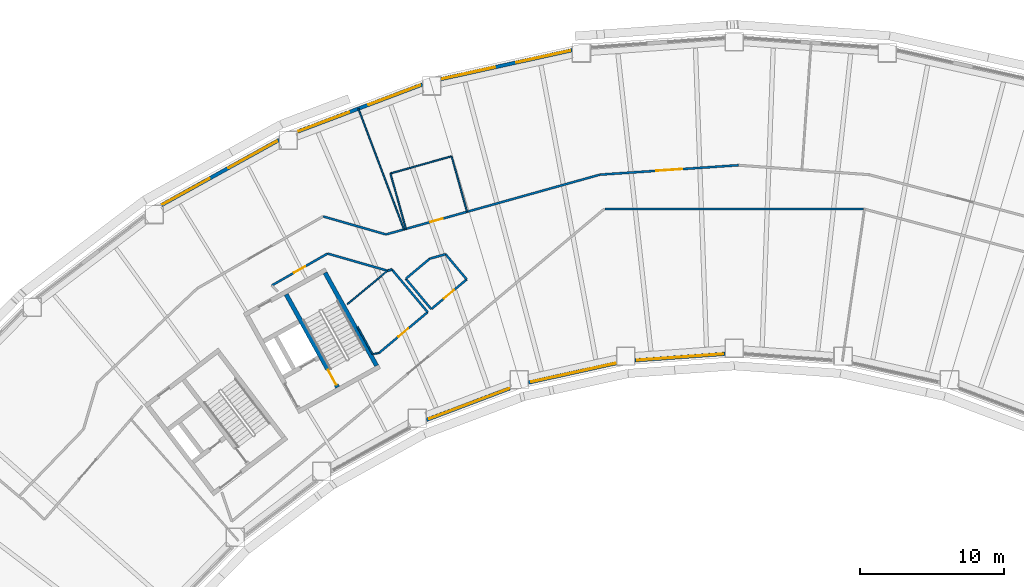
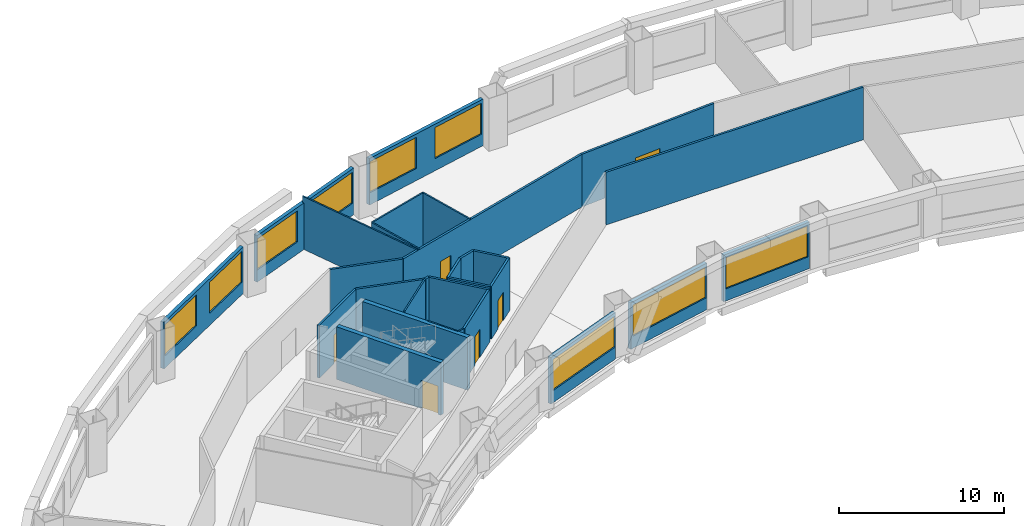
# One storey, part 4 of 11: 29 walls, 9 windows, 6 doors, 15 openings.
"""IFC4 building model written with IfcOpenShell, lengths in metres."""

from ifc_helpers import new_model, si_unit, direction, frame, frame_2d, origin, place, context, subcontext, project, spatial, rectangle, extrude, material, layer, layer_set, type_object, element, fill, save


model = new_model("IFC4")

# Units and contexts
model_context = context("Model", 3, precision=1e-05, world=origin(), true_north=direction((0.0, 1.0)))
body_context = subcontext(model_context, "Body", "Model", "MODEL_VIEW")
ifc_project = project(units=[si_unit("LENGTHUNIT", "METRE"), si_unit("AREAUNIT", "SQUARE_METRE"), si_unit("VOLUMEUNIT", "CUBIC_METRE"), si_unit("PLANEANGLEUNIT", "RADIAN"), si_unit("MASSUNIT", "GRAM", prefix="KILO")], contexts=[model_context])

# Site, building, storey
site_placement = place(None, origin())
site = spatial("IfcSite", under=ifc_project, at=site_placement, CompositionType="ELEMENT")
building_placement = place(site_placement, origin())
building = spatial("IfcBuilding", under=site, at=building_placement, Name="Tuul Gate Civic Tower", CompositionType="ELEMENT")
storey_placement = place(building_placement, frame((0.0, 0.0, 52.5)))
storey = spatial("IfcBuildingStorey", under=building, at=storey_placement, Name="Level 11", CompositionType="ELEMENT", Elevation=52.5)

# Wall
ifc_material_1 = material(Name="Concrete C50/60", Category="concrete")
ifc_layer_1 = layer(ifc_material_1, 0.300048828125)
ifc_layer_set_1 = layer_set([ifc_layer_1], Name="Concrete C50/60")
wall_type_1 = type_object("IfcWallType", Name="Core wall C50/60", PredefinedType="SHEAR", material=ifc_layer_set_1)
wall_1_placement = place(storey_placement, frame((-24.91552734375, -8.6572265625, 0.0), z_axis=(0.0, 0.0, 1.0), x_axis=(-0.484777133038, 0.874637714304, 0.0)))
element("IfcWall", 1, at=wall_1_placement, inside=storey, type_object=wall_type_1, Name="Core wall", PredefinedType="SHEAR", context=body_context, shape_type="SweptSolid", body=[
    extrude(rectangle(XDim=7.400146484375, YDim=0.300048828125, at=frame_2d((3.7001953125, 0.0))), origin(), (0.0, 0.0, 1.0), 3.89990234375),
])

# Wall, opening, door
wall_2_placement = place(storey_placement, frame((-27.626953125, -10.16015625, 0.0), z_axis=(0.0, 0.0, 1.0), x_axis=(-0.484751894226, 0.874651702704, 0.0)))
wall_2 = element("IfcWall", 2, at=wall_2_placement, inside=storey, type_object=wall_type_1, Name="Core wall", PredefinedType="SHEAR", context=body_context, shape_type="SweptSolid", body=[
    extrude(rectangle(XDim=7.39990234375, YDim=0.300048828125, at=frame_2d((3.699951171875, 0.0))), origin(), (0.0, 0.0, 1.0), 3.89990234375),
])
opening_1_placement = place(wall_2_placement, frame((0.199951171875, 0.0, 0.0)))
opening_1 = element("IfcOpeningElement", 3, at=opening_1_placement, cuts=wall_2, Name="Opening SD-ST-2", PredefinedType="OPENING", context=body_context, shape_type="SweptSolid", body=[
    extrude(rectangle(XDim=1.199951171875, YDim=2.10009765625, at=frame_2d((0.60009765625, 1.050048828125))), frame((0.0, 0.16015625, 0.0), z_axis=(0.0, -1.0, 0.0), x_axis=(1.0, 0.0, 0.0)), (0.0, 0.0, 1.0), 0.320068359375),
])
ifc_material_2 = material(Name="Steel", Category="steel")
door_type_1 = type_object("IfcDoorType", Name="Stair door", OperationType="NOTDEFINED", PredefinedType="DOOR", material=ifc_material_2)
door_1_placement = place(opening_1_placement, origin())
door_1 = element("IfcDoor", 4, at=door_1_placement, inside=storey, type_object=door_type_1, Name="Stair door ST-2", OperationType="SINGLE_SWING_LEFT", OverallHeight=2.10009765625, OverallWidth=1.199951171875, PredefinedType="DOOR", context=body_context, shape_type="SweptSolid", body=[
    extrude(rectangle(XDim=1.199951171875, YDim=2.10009765625, at=frame_2d((0.60009765625, 1.050048828125))), frame((0.0, 0.02490234375, 0.0), z_axis=(0.0, -1.0, 0.0), x_axis=(1.0, 0.0, 0.0)), (0.0, 0.0, 1.0), 0.050048828125),
])
fill(opening_1, door_1)

ifc_material_3 = material(Name="Gypsum board partition")
ifc_layer_2 = layer(ifc_material_3, 0.14990234375)
ifc_layer_set_2 = layer_set([ifc_layer_2], Name="Gypsum board partition")
wall_type_2 = type_object("IfcWallType", Name="Corridor wall P150", PredefinedType="PARTITIONING", material=ifc_layer_set_2)
wall_3_placement = place(storey_placement, frame((-24.25439453125, 0.48583984375, 0.0), z_axis=(0.0, 0.0, 1.0), x_axis=(0.963074488141, 0.269235083694, 0.0)))
wall_3 = element("IfcWall", 5, at=wall_3_placement, inside=storey, type_object=wall_type_2, Name="p030", PredefinedType="PARTITIONING", context=body_context, shape_type="SweptSolid", body=[
    extrude(rectangle(XDim=15.458984375, YDim=0.14990234375, at=frame_2d((7.7294921875, 0.0))), origin(), (0.0, 0.0, 1.0), 3.89990234375),
])
opening_2_placement = place(wall_3_placement, frame((3.197021484375, 0.0, 0.0)))
opening_2 = element("IfcOpeningElement", 6, at=opening_2_placement, cuts=wall_3, Name="Opening C-D04", PredefinedType="OPENING", context=body_context, shape_type="SweptSolid", body=[
    extrude(rectangle(XDim=0.89990234375, YDim=2.10009765625, at=frame_2d((0.449951171875, 1.050048828125))), frame((0.0, 0.0849609375, 0.0), z_axis=(0.0, -1.0, 0.0), x_axis=(1.0, 0.0, 0.0)), (0.0, 0.0, 1.0), 0.169921875),
])
ifc_material_4 = material(Name="Timber door leaf", Category="wood")
door_type_2 = type_object("IfcDoorType", Name="Door D09", OperationType="NOTDEFINED", PredefinedType="DOOR", material=ifc_material_4)
door_2_placement = place(opening_2_placement, origin())
door_2 = element("IfcDoor", 7, at=door_2_placement, inside=storey, type_object=door_type_2, Name="Door C-D04", OperationType="SINGLE_SWING_RIGHT", OverallHeight=2.10009765625, OverallWidth=0.89990234375, PredefinedType="DOOR", context=body_context, shape_type="SweptSolid", body=[
    extrude(rectangle(XDim=0.89990234375, YDim=2.10009765625, at=frame_2d((0.449951171875, 1.050048828125))), frame((0.0, 0.02490234375, 0.0), z_axis=(0.0, -1.0, 0.0), x_axis=(1.0, 0.0, 0.0)), (0.0, 0.0, 1.0), 0.050048828125),
])
fill(opening_2, door_2)

wall_4_placement = place(storey_placement, frame((-9.3662109375, 4.64794921875, 0.0), z_axis=(0.0, 0.0, 1.0), x_axis=(0.997684510336, 0.068011894806, 0.0)))
wall_4 = element("IfcWall", 8, at=wall_4_placement, inside=storey, type_object=wall_type_2, Name="p031", PredefinedType="PARTITIONING", context=body_context, shape_type="SweptSolid", body=[
    extrude(rectangle(XDim=9.670654296875, YDim=0.14990234375, at=frame_2d((4.83544921875, 0.0))), origin(), (0.0, 0.0, 1.0), 3.89990234375),
])
opening_3_placement = place(wall_4_placement, frame((3.935302734375, 0.0, 0.0)))
opening_3 = element("IfcOpeningElement", 9, at=opening_3_placement, cuts=wall_4, Name="Opening C-D03", PredefinedType="OPENING", context=body_context, shape_type="SweptSolid", body=[
    extrude(rectangle(XDim=1.800048828125, YDim=2.10009765625, at=frame_2d((0.89990234375, 1.050048828125))), frame((0.0, 0.0849609375, 0.0), z_axis=(0.0, -1.0, 0.0), x_axis=(1.0, 0.0, 0.0)), (0.0, 0.0, 1.0), 0.169921875),
])
ifc_material_5 = material(Name="Timber door leaf, double", Category="wood")
door_type_3 = type_object("IfcDoorType", Name="Door D18", OperationType="DOUBLE_DOOR_SINGLE_SWING", PredefinedType="DOOR", material=ifc_material_5)
door_3_placement = place(opening_3_placement, origin())
door_3 = element("IfcDoor", 10, at=door_3_placement, inside=storey, type_object=door_type_3, Name="Door C-D03", OperationType="DOUBLE_DOOR_SINGLE_SWING", OverallHeight=2.10009765625, OverallWidth=1.800048828125, PredefinedType="DOOR", context=body_context, shape_type="SweptSolid", body=[
    extrude(rectangle(XDim=1.800048828125, YDim=2.10009765625, at=frame_2d((0.89990234375, 1.050048828125))), frame((0.0, 0.02490234375, 0.0), z_axis=(0.0, -1.0, 0.0), x_axis=(1.0, 0.0, 0.0)), (0.0, 0.0, 1.0), 0.050048828125),
])
fill(opening_3, door_3)

# Walls
wall_5_placement = place(storey_placement, frame((-28.640380859375, 1.739501953125, 0.0), z_axis=(0.0, 0.0, 1.0), x_axis=(0.961286670839, -0.275550243092, 0.0)))
element("IfcWall", 11, at=wall_5_placement, inside=storey, type_object=wall_type_2, Name="p034", PredefinedType="PARTITIONING", context=body_context, shape_type="SweptSolid", body=[
    extrude(rectangle(XDim=4.549560546875, YDim=0.14990234375, at=frame_2d((2.27490234375, 0.0))), origin(), (0.0, 0.0, 1.0), 3.89990234375),
])
wall_6_placement = place(storey_placement, frame((-24.15625, -2.04248046875, 0.0), z_axis=(0.0, 0.0, 1.0), x_axis=(0.961698087877, 0.274110904151, 0.0)))
element("IfcWall", 12, at=wall_6_placement, inside=storey, type_object=wall_type_2, Name="p050", PredefinedType="PARTITIONING", context=body_context, shape_type="SweptSolid", body=[
    extrude(rectangle(XDim=0.317138671875, YDim=0.14990234375, at=frame_2d((0.15869140625, 0.0))), origin(), (0.0, 0.0, 1.0), 3.89990234375),
])
wall_7_placement = place(storey_placement, frame((-21.215576171875, -1.205078125, 0.0), z_axis=(0.0, 0.0, 1.0), x_axis=(0.961844919468, 0.273595231856, 0.0)))
element("IfcWall", 13, at=wall_7_placement, inside=storey, type_object=wall_type_2, Name="p051", PredefinedType="PARTITIONING", context=body_context, shape_type="SweptSolid", body=[
    extrude(rectangle(XDim=1.145751953125, YDim=0.14990234375, at=frame_2d((0.57275390625, 0.0))), origin(), (0.0, 0.0, 1.0), 3.89990234375),
])
wall_8_placement = place(storey_placement, frame((-9.018310546875, 2.265869140625, 0.0), z_axis=(0.0, 0.0, 1.0), x_axis=(0.999999990811, 0.000135561971, 0.0)))
element("IfcWall", 14, at=wall_8_placement, inside=storey, type_object=wall_type_2, Name="p052", PredefinedType="PARTITIONING", context=body_context, shape_type="SweptSolid", body=[
    extrude(rectangle(XDim=18.009521484375, YDim=0.14990234375, at=frame_2d((9.0048828125, 0.0))), origin(), (0.0, 0.0, 1.0), 3.89990234375),
])
wall_9_placement = place(storey_placement, frame((-20.113525390625, -0.8916015625, 0.0), z_axis=(0.0, 0.0, 1.0), x_axis=(0.642569904563, -0.766227066704, 0.0)))
element("IfcWall", 15, at=wall_9_placement, inside=storey, type_object=wall_type_2, Name="p053", PredefinedType="PARTITIONING", context=body_context, shape_type="SweptSolid", body=[
    extrude(rectangle(XDim=2.292236328125, YDim=0.14990234375, at=frame_2d((1.14599609375, 0.0))), origin(), (0.0, 0.0, 1.0), 3.89990234375),
])

# Wall, opening, door
wall_10_placement = place(storey_placement, frame((-24.7529296875, -7.773681640625, 0.0), z_axis=(0.0, 0.0, 1.0), x_axis=(0.766230053811, 0.642566342595, 0.0)))
wall_10 = element("IfcWall", 16, at=wall_10_placement, inside=storey, type_object=wall_type_2, Name="p054", PredefinedType="PARTITIONING", context=body_context, shape_type="SweptSolid", body=[
    extrude(rectangle(XDim=4.43017578125, YDim=0.14990234375, at=frame_2d((2.215087890625, 0.0))), origin(), (0.0, 0.0, 1.0), 3.89990234375),
])
opening_4_placement = place(wall_10_placement, frame((1.764892578125, 0.0, 0.0)))
opening_4 = element("IfcOpeningElement", 17, at=opening_4_placement, cuts=wall_10, Name="Opening C-D11", PredefinedType="OPENING", context=body_context, shape_type="SweptSolid", body=[
    extrude(rectangle(XDim=0.89990234375, YDim=2.10009765625, at=frame_2d((0.449951171875, 1.050048828125))), frame((0.0, 0.0849609375, 0.0), z_axis=(0.0, -1.0, 0.0), x_axis=(1.0, 0.0, 0.0)), (0.0, 0.0, 1.0), 0.169921875),
])
door_4_placement = place(opening_4_placement, origin())
door_4 = element("IfcDoor", 18, at=door_4_placement, inside=storey, type_object=door_type_2, Name="Door C-D11", OperationType="SINGLE_SWING_RIGHT", OverallHeight=2.10009765625, OverallWidth=0.89990234375, PredefinedType="DOOR", context=body_context, shape_type="SweptSolid", body=[
    extrude(rectangle(XDim=0.89990234375, YDim=2.10009765625, at=frame_2d((0.449951171875, 1.050048828125))), frame((0.0, 0.02490234375, 0.0), z_axis=(0.0, -1.0, 0.0), x_axis=(1.0, 0.0, 0.0)), (0.0, 0.0, 1.0), 0.050048828125),
])
fill(opening_4, door_4)

wall_11_placement = place(storey_placement, frame((-21.10791015625, -4.717041015625, 0.0), z_axis=(0.0, 0.0, 1.0), x_axis=(0.766228872485, 0.642567751268, 0.0)))
wall_11 = element("IfcWall", 19, at=wall_11_placement, inside=storey, type_object=wall_type_2, Name="p055", PredefinedType="PARTITIONING", context=body_context, shape_type="SweptSolid", body=[
    extrude(rectangle(XDim=3.219970703125, YDim=0.14990234375, at=frame_2d((1.60986328125, 0.0))), origin(), (0.0, 0.0, 1.0), 3.89990234375),
])
opening_5_placement = place(wall_11_placement, frame((1.159912109375, 0.0, 0.0)))
opening_5 = element("IfcOpeningElement", 20, at=opening_5_placement, cuts=wall_11, Name="Opening C-D10", PredefinedType="OPENING", context=body_context, shape_type="SweptSolid", body=[
    extrude(rectangle(XDim=0.89990234375, YDim=2.10009765625, at=frame_2d((0.449951171875, 1.050048828125))), frame((0.0, 0.0849609375, 0.0), z_axis=(0.0, -1.0, 0.0), x_axis=(1.0, 0.0, 0.0)), (0.0, 0.0, 1.0), 0.169921875),
])
door_5_placement = place(opening_5_placement, origin())
door_5 = element("IfcDoor", 21, at=door_5_placement, inside=storey, type_object=door_type_2, Name="Door C-D10", OperationType="SINGLE_SWING_RIGHT", OverallHeight=2.10009765625, OverallWidth=0.89990234375, PredefinedType="DOOR", context=body_context, shape_type="SweptSolid", body=[
    extrude(rectangle(XDim=0.89990234375, YDim=2.10009765625, at=frame_2d((0.449951171875, 1.050048828125))), frame((0.0, 0.02490234375, 0.0), z_axis=(0.0, -1.0, 0.0), x_axis=(1.0, 0.0, 0.0)), (0.0, 0.0, 1.0), 0.050048828125),
])
fill(opening_5, door_5)

# Walls
wall_12_placement = place(storey_placement, frame((-22.88134765625, -2.602294921875, 0.0), z_axis=(0.0, 0.0, 1.0), x_axis=(0.642565356488, -0.766230880768, 0.0)))
element("IfcWall", 22, at=wall_12_placement, inside=storey, type_object=wall_type_2, Name="p056", PredefinedType="PARTITIONING", context=body_context, shape_type="SweptSolid", body=[
    extrude(rectangle(XDim=2.760009765625, YDim=0.14990234375, at=frame_2d((1.3798828125, 0.0))), origin(), (0.0, 0.0, 1.0), 3.89990234375),
])
wall_13_placement = place(storey_placement, frame((-22.88134765625, -2.602294921875, 0.0), z_axis=(0.0, 0.0, 1.0), x_axis=(0.766164790062, 0.642644158512, 0.0)))
element("IfcWall", 23, at=wall_13_placement, inside=storey, type_object=wall_type_2, Name="p057", PredefinedType="PARTITIONING", context=body_context, shape_type="SweptSolid", body=[
    extrude(rectangle(XDim=2.174072265625, YDim=0.14990234375, at=frame_2d((1.0869140625, 0.0))), origin(), (0.0, 0.0, 1.0), 3.89990234375),
])
wall_14_placement = place(storey_placement, frame((-23.851318359375, -1.95556640625, 0.0), z_axis=(0.0, 0.0, 1.0), x_axis=(0.642725493396, -0.766096560584, 0.0)))
element("IfcWall", 24, at=wall_14_placement, inside=storey, type_object=wall_type_2, Name="p058", PredefinedType="PARTITIONING", context=body_context, shape_type="SweptSolid", body=[
    extrude(rectangle(XDim=3.878662109375, YDim=0.14990234375, at=frame_2d((1.939453125, 0.0))), origin(), (0.0, 0.0, 1.0), 3.89990234375),
])
wall_15_placement = place(storey_placement, frame((-28.328857421875, -0.8466796875, 0.0), z_axis=(0.0, 0.0, 1.0), x_axis=(0.961313524607, -0.275456543593, 0.0)))
element("IfcWall", 25, at=wall_15_placement, inside=storey, type_object=wall_type_2, Name="p059", PredefinedType="PARTITIONING", context=body_context, shape_type="SweptSolid", body=[
    extrude(rectangle(XDim=4.34033203125, YDim=0.14990234375, at=frame_2d((2.170166015625, 0.0))), origin(), (0.0, 0.0, 1.0), 3.89990234375),
])

# Wall, opening, door
wall_16_placement = place(storey_placement, frame((-32.216552734375, -3.0703125, 0.0), z_axis=(0.0, 0.0, 1.0), x_axis=(0.868041797292, 0.496491125957, 0.0)))
wall_16 = element("IfcWall", 26, at=wall_16_placement, inside=storey, type_object=wall_type_2, Name="p060", PredefinedType="PARTITIONING", context=body_context, shape_type="SweptSolid", body=[
    extrude(rectangle(XDim=4.478759765625, YDim=0.14990234375, at=frame_2d((2.2392578125, 0.0))), origin(), (0.0, 0.0, 1.0), 3.89990234375),
])
opening_6_placement = place(wall_16_placement, frame((1.789306640625, 0.0, 0.0)))
opening_6 = element("IfcOpeningElement", 27, at=opening_6_placement, cuts=wall_16, Name="Opening C-D12", PredefinedType="OPENING", context=body_context, shape_type="SweptSolid", body=[
    extrude(rectangle(XDim=0.89990234375, YDim=2.10009765625, at=frame_2d((0.449951171875, 1.050048828125))), frame((0.0, 0.0849609375, 0.0), z_axis=(0.0, -1.0, 0.0), x_axis=(1.0, 0.0, 0.0)), (0.0, 0.0, 1.0), 0.169921875),
])
door_6_placement = place(opening_6_placement, origin())
door_6 = element("IfcDoor", 28, at=door_6_placement, inside=storey, type_object=door_type_2, Name="Door C-D12", OperationType="SINGLE_SWING_RIGHT", OverallHeight=2.10009765625, OverallWidth=0.89990234375, PredefinedType="DOOR", context=body_context, shape_type="SweptSolid", body=[
    extrude(rectangle(XDim=0.89990234375, YDim=2.10009765625, at=frame_2d((0.449951171875, 1.050048828125))), frame((0.0, 0.02490234375, 0.0), z_axis=(0.0, -1.0, 0.0), x_axis=(1.0, 0.0, 0.0)), (0.0, 0.0, 1.0), 0.050048828125),
])
fill(opening_6, door_6)

# Wall, openings, windows
ifc_material_6 = material(Name="Precast concrete C40/50", Category="concrete")
ifc_layer_3 = layer(ifc_material_6, 0.25)
ifc_layer_set_3 = layer_set([ifc_layer_3], Name="Precast concrete C40/50")
wall_type_3 = type_object("IfcWallType", Name="External wall", PredefinedType="STANDARD", material=ifc_layer_set_3)
wall_17_placement = place(storey_placement, frame((-11.299072265625, 13.317138671875, 0.0), z_axis=(0.0, 0.0, 1.0), x_axis=(-0.97654219172, -0.215326142841, 0.0)))
wall_17 = element("IfcWall", 29, at=wall_17_placement, inside=storey, type_object=wall_type_3, Name="External wall", PredefinedType="STANDARD", context=body_context, shape_type="SweptSolid", body=[
    extrude(rectangle(XDim=9.34716796875, YDim=0.25, at=frame_2d((4.673583984375, 0.0))), origin(), (0.0, 0.0, 1.0), 3.449951171875),
])
opening_7_placement = place(wall_17_placement, frame((0.134033203125, 0.0, 0.89990234375)))
opening_7 = element("IfcOpeningElement", 30, at=opening_7_placement, cuts=wall_17, Name="Opening W22", PredefinedType="OPENING", context=body_context, shape_type="SweptSolid", body=[
    extrude(rectangle(XDim=3.85009765625, YDim=2.300048828125, at=frame_2d((1.925048828125, 1.14990234375))), frame((0.0, 0.135009765625, 0.0), z_axis=(0.0, -1.0, 0.0), x_axis=(1.0, 0.0, 0.0)), (0.0, 0.0, 1.0), 0.27001953125),
])
opening_8_placement = place(wall_17_placement, frame((5.5029296875, 0.0, 0.89990234375)))
opening_8 = element("IfcOpeningElement", 31, at=opening_8_placement, cuts=wall_17, Name="Opening W100", PredefinedType="OPENING", context=body_context, shape_type="SweptSolid", body=[
    extrude(rectangle(XDim=3.800048828125, YDim=2.300048828125, at=frame_2d((1.89990234375, 1.14990234375))), frame((0.0, 0.135009765625, 0.0), z_axis=(0.0, -1.0, 0.0), x_axis=(1.0, 0.0, 0.0)), (0.0, 0.0, 1.0), 0.27001953125),
])
ifc_material_7 = material(Name="Glass", Category="glass")
window_type_1 = type_object("IfcWindowType", Name="Window W100 3800 x 2300", PartitioningType="SINGLE_PANEL", PredefinedType="WINDOW", material=ifc_material_7)
window_1_placement = place(opening_8_placement, origin())
window_1 = element("IfcWindow", 32, at=window_1_placement, inside=storey, type_object=window_type_1, Name="Window", OverallHeight=2.300048828125, OverallWidth=3.800048828125, PartitioningType="SINGLE_PANEL", PredefinedType="WINDOW", context=body_context, shape_type="SweptSolid", body=[
    extrude(rectangle(XDim=3.800048828125, YDim=2.300048828125, at=frame_2d((1.89990234375, 1.14990234375))), frame((0.0, 0.030029296875, 0.0), z_axis=(0.0, -1.0, 0.0), x_axis=(1.0, 0.0, 0.0)), (0.0, 0.0, 1.0), 0.06005859375),
])
fill(opening_8, window_1)
ifc_material_8 = material(Name="Glass", Category="glass")
window_type_2 = type_object("IfcWindowType", Name="Window W22 3850 x 2300", PartitioningType="SINGLE_PANEL", PredefinedType="WINDOW", material=ifc_material_8)
window_2_placement = place(opening_7_placement, origin())
window_2 = element("IfcWindow", 33, at=window_2_placement, inside=storey, type_object=window_type_2, Name="Window", OverallHeight=2.300048828125, OverallWidth=3.85009765625, PartitioningType="SINGLE_PANEL", PredefinedType="WINDOW", context=body_context, shape_type="SweptSolid", body=[
    extrude(rectangle(XDim=3.85009765625, YDim=2.300048828125, at=frame_2d((1.925048828125, 1.14990234375))), frame((0.0, 0.030029296875, 0.0), z_axis=(0.0, -1.0, 0.0), x_axis=(1.0, 0.0, 0.0)), (0.0, 0.0, 1.0), 0.06005859375),
])
fill(opening_7, window_2)

wall_18_placement = place(storey_placement, frame((-21.72705078125, 10.929931640625, 0.0), z_axis=(0.0, 0.0, 1.0), x_axis=(-0.93537723485, -0.353651563724, 0.0)))
wall_18 = element("IfcWall", 34, at=wall_18_placement, inside=storey, type_object=wall_type_3, Name="External wall", PredefinedType="STANDARD", context=body_context, shape_type="SweptSolid", body=[
    extrude(rectangle(XDim=9.287109375, YDim=0.25, at=frame_2d((4.6435546875, 0.0))), origin(), (0.0, 0.0, 1.0), 3.449951171875),
])
opening_9_placement = place(wall_18_placement, frame((0.1552734375, 0.0, 0.89990234375)))
opening_9 = element("IfcOpeningElement", 35, at=opening_9_placement, cuts=wall_18, Name="Opening W22", PredefinedType="OPENING", context=body_context, shape_type="SweptSolid", body=[
    extrude(rectangle(XDim=3.85009765625, YDim=2.300048828125, at=frame_2d((1.925048828125, 1.14990234375))), frame((0.0, 0.135009765625, 0.0), z_axis=(0.0, -1.0, 0.0), x_axis=(1.0, 0.0, 0.0)), (0.0, 0.0, 1.0), 0.27001953125),
])
opening_10_placement = place(wall_18_placement, frame((5.44091796875, 0.0, 0.89990234375)))
opening_10 = element("IfcOpeningElement", 36, at=opening_10_placement, cuts=wall_18, Name="Opening W100", PredefinedType="OPENING", context=body_context, shape_type="SweptSolid", body=[
    extrude(rectangle(XDim=3.800048828125, YDim=2.300048828125, at=frame_2d((1.89990234375, 1.14990234375))), frame((0.0, 0.135009765625, 0.0), z_axis=(0.0, -1.0, 0.0), x_axis=(1.0, 0.0, 0.0)), (0.0, 0.0, 1.0), 0.27001953125),
])
window_3_placement = place(opening_10_placement, origin())
window_3 = element("IfcWindow", 37, at=window_3_placement, inside=storey, type_object=window_type_1, Name="Window", OverallHeight=2.300048828125, OverallWidth=3.800048828125, PartitioningType="SINGLE_PANEL", PredefinedType="WINDOW", context=body_context, shape_type="SweptSolid", body=[
    extrude(rectangle(XDim=3.800048828125, YDim=2.300048828125, at=frame_2d((1.89990234375, 1.14990234375))), frame((0.0, 0.030029296875, 0.0), z_axis=(0.0, -1.0, 0.0), x_axis=(1.0, 0.0, 0.0)), (0.0, 0.0, 1.0), 0.06005859375),
])
fill(opening_10, window_3)
window_4_placement = place(opening_9_placement, origin())
window_4 = element("IfcWindow", 38, at=window_4_placement, inside=storey, type_object=window_type_2, Name="Window", OverallHeight=2.300048828125, OverallWidth=3.85009765625, PartitioningType="SINGLE_PANEL", PredefinedType="WINDOW", context=body_context, shape_type="SweptSolid", body=[
    extrude(rectangle(XDim=3.85009765625, YDim=2.300048828125, at=frame_2d((1.925048828125, 1.14990234375))), frame((0.0, 0.030029296875, 0.0), z_axis=(0.0, -1.0, 0.0), x_axis=(1.0, 0.0, 0.0)), (0.0, 0.0, 1.0), 0.06005859375),
])
fill(opening_9, window_4)

wall_19_placement = place(storey_placement, frame((-31.714111328125, 7.0634765625, 0.0), z_axis=(0.0, 0.0, 1.0), x_axis=(-0.87462564428, -0.484798909206, 0.0)))
wall_19 = element("IfcWall", 39, at=wall_19_placement, inside=storey, type_object=wall_type_3, Name="External wall", PredefinedType="STANDARD", context=body_context, shape_type="SweptSolid", body=[
    extrude(rectangle(XDim=9.35986328125, YDim=0.25, at=frame_2d((4.679931640625, 0.0))), origin(), (0.0, 0.0, 1.0), 3.449951171875),
])
opening_11_placement = place(wall_19_placement, frame((0.164306640625, 0.0, 0.89990234375)))
opening_11 = element("IfcOpeningElement", 40, at=opening_11_placement, cuts=wall_19, Name="Opening W22", PredefinedType="OPENING", context=body_context, shape_type="SweptSolid", body=[
    extrude(rectangle(XDim=3.85009765625, YDim=2.300048828125, at=frame_2d((1.925048828125, 1.14990234375))), frame((0.0, 0.135009765625, 0.0), z_axis=(0.0, -1.0, 0.0), x_axis=(1.0, 0.0, 0.0)), (0.0, 0.0, 1.0), 0.27001953125),
])
opening_12_placement = place(wall_19_placement, frame((5.51708984375, 0.0, 0.89990234375)))
opening_12 = element("IfcOpeningElement", 41, at=opening_12_placement, cuts=wall_19, Name="Opening W99", PredefinedType="OPENING", context=body_context, shape_type="SweptSolid", body=[
    extrude(rectangle(XDim=3.75, YDim=2.300048828125, at=frame_2d((1.875, 1.14990234375))), frame((0.0, 0.135009765625, 0.0), z_axis=(0.0, -1.0, 0.0), x_axis=(1.0, 0.0, 0.0)), (0.0, 0.0, 1.0), 0.27001953125),
])
window_5_placement = place(opening_11_placement, origin())
window_5 = element("IfcWindow", 42, at=window_5_placement, inside=storey, type_object=window_type_2, Name="Window", OverallHeight=2.300048828125, OverallWidth=3.85009765625, PartitioningType="SINGLE_PANEL", PredefinedType="WINDOW", context=body_context, shape_type="SweptSolid", body=[
    extrude(rectangle(XDim=3.85009765625, YDim=2.300048828125, at=frame_2d((1.925048828125, 1.14990234375))), frame((0.0, 0.030029296875, 0.0), z_axis=(0.0, -1.0, 0.0), x_axis=(1.0, 0.0, 0.0)), (0.0, 0.0, 1.0), 0.06005859375),
])
fill(opening_11, window_5)
ifc_material_9 = material(Name="Glass", Category="glass")
window_type_3 = type_object("IfcWindowType", Name="Window W99 3750 x 2300", PartitioningType="SINGLE_PANEL", PredefinedType="WINDOW", material=ifc_material_9)
window_6_placement = place(opening_12_placement, origin())
window_6 = element("IfcWindow", 43, at=window_6_placement, inside=storey, type_object=window_type_3, Name="Window", OverallHeight=2.300048828125, OverallWidth=3.75, PartitioningType="SINGLE_PANEL", PredefinedType="WINDOW", context=body_context, shape_type="SweptSolid", body=[
    extrude(rectangle(XDim=3.75, YDim=2.300048828125, at=frame_2d((1.875, 1.14990234375))), frame((0.0, 0.030029296875, 0.0), z_axis=(0.0, -1.0, 0.0), x_axis=(1.0, 0.0, 0.0)), (0.0, 0.0, 1.0), 0.06005859375),
])
fill(opening_12, window_6)

# Wall, opening, window
wall_20_placement = place(storey_placement, frame((-21.43701171875, -12.426513671875, 0.0), z_axis=(0.0, 0.0, 1.0), x_axis=(0.935359836581, 0.353697577193, 0.0)))
wall_20 = element("IfcWall", 44, at=wall_20_placement, inside=storey, type_object=wall_type_3, Name="External wall", PredefinedType="STANDARD", context=body_context, shape_type="SweptSolid", body=[
    extrude(rectangle(XDim=6.201904296875, YDim=0.25, at=frame_2d((3.10107421875, 0.0))), origin(), (0.0, 0.0, 1.0), 3.449951171875),
])
opening_13_placement = place(wall_20_placement, frame((0.2060546875, 0.0, 0.89990234375)))
opening_13 = element("IfcOpeningElement", 45, at=opening_13_placement, cuts=wall_20, Name="Opening W101", PredefinedType="OPENING", context=body_context, shape_type="SweptSolid", body=[
    extrude(rectangle(XDim=5.949951171875, YDim=2.300048828125, at=frame_2d((2.97509765625, 1.14990234375))), frame((0.0, 0.135009765625, 0.0), z_axis=(0.0, -1.0, 0.0), x_axis=(1.0, 0.0, 0.0)), (0.0, 0.0, 1.0), 0.27001953125),
])
ifc_material_10 = material(Name="Glass", Category="glass")
window_type_4 = type_object("IfcWindowType", Name="Window W101 5950 x 2300", PartitioningType="SINGLE_PANEL", PredefinedType="WINDOW", material=ifc_material_10)
window_7_placement = place(opening_13_placement, origin())
window_7 = element("IfcWindow", 46, at=window_7_placement, inside=storey, type_object=window_type_4, Name="Window", OverallHeight=2.300048828125, OverallWidth=5.949951171875, PartitioningType="SINGLE_PANEL", PredefinedType="WINDOW", context=body_context, shape_type="SweptSolid", body=[
    extrude(rectangle(XDim=5.949951171875, YDim=2.300048828125, at=frame_2d((2.97509765625, 1.14990234375))), frame((0.0, 0.030029296875, 0.0), z_axis=(0.0, -1.0, 0.0), x_axis=(1.0, 0.0, 0.0)), (0.0, 0.0, 1.0), 0.06005859375),
])
fill(opening_13, window_7)

wall_21_placement = place(storey_placement, frame((-14.3359375, -9.8291015625, 0.0), z_axis=(0.0, 0.0, 1.0), x_axis=(0.97656633669, 0.215216611915, 0.0)))
wall_21 = element("IfcWall", 47, at=wall_21_placement, inside=storey, type_object=wall_type_3, Name="External wall", PredefinedType="STANDARD", context=body_context, shape_type="SweptSolid", body=[
    extrude(rectangle(XDim=6.2607421875, YDim=0.25, at=frame_2d((3.13037109375, 0.0))), origin(), (0.0, 0.0, 1.0), 3.449951171875),
])
opening_14_placement = place(wall_21_placement, frame((0.2021484375, 0.0, 0.89990234375)))
opening_14 = element("IfcOpeningElement", 48, at=opening_14_placement, cuts=wall_21, Name="Opening W26", PredefinedType="OPENING", context=body_context, shape_type="SweptSolid", body=[
    extrude(rectangle(XDim=6.0, YDim=2.300048828125, at=frame_2d((3.0, 1.14990234375))), frame((0.0, 0.135009765625, 0.0), z_axis=(0.0, -1.0, 0.0), x_axis=(1.0, 0.0, 0.0)), (0.0, 0.0, 1.0), 0.27001953125),
])
ifc_material_11 = material(Name="Glass", Category="glass")
window_type_5 = type_object("IfcWindowType", Name="Window W26 6000 x 2300", PartitioningType="SINGLE_PANEL", PredefinedType="WINDOW", material=ifc_material_11)
window_8_placement = place(opening_14_placement, origin())
window_8 = element("IfcWindow", 49, at=window_8_placement, inside=storey, type_object=window_type_5, Name="Window", OverallHeight=2.300048828125, OverallWidth=6.0, PartitioningType="SINGLE_PANEL", PredefinedType="WINDOW", context=body_context, shape_type="SweptSolid", body=[
    extrude(rectangle(XDim=6.0, YDim=2.300048828125, at=frame_2d((3.0, 1.14990234375))), frame((0.0, 0.030029296875, 0.0), z_axis=(0.0, -1.0, 0.0), x_axis=(1.0, 0.0, 0.0)), (0.0, 0.0, 1.0), 0.06005859375),
])
fill(opening_14, window_8)

wall_22_placement = place(storey_placement, frame((-6.922119140625, -8.284423828125, 0.0), z_axis=(0.0, 0.0, 1.0), x_axis=(0.997395047269, 0.072132653374, 0.0)))
wall_22 = element("IfcWall", 50, at=wall_22_placement, inside=storey, type_object=wall_type_3, Name="External wall", PredefinedType="STANDARD", context=body_context, shape_type="SweptSolid", body=[
    extrude(rectangle(XDim=6.28857421875, YDim=0.25, at=frame_2d((3.144287109375, 0.0))), origin(), (0.0, 0.0, 1.0), 3.449951171875),
])
opening_15_placement = place(wall_22_placement, frame((0.167724609375, 0.0, 0.89990234375)))
opening_15 = element("IfcOpeningElement", 51, at=opening_15_placement, cuts=wall_22, Name="Opening W26", PredefinedType="OPENING", context=body_context, shape_type="SweptSolid", body=[
    extrude(rectangle(XDim=6.0, YDim=2.300048828125, at=frame_2d((3.0, 1.14990234375))), frame((0.0, 0.135009765625, 0.0), z_axis=(0.0, -1.0, 0.0), x_axis=(1.0, 0.0, 0.0)), (0.0, 0.0, 1.0), 0.27001953125),
])
window_9_placement = place(opening_15_placement, origin())
window_9 = element("IfcWindow", 52, at=window_9_placement, inside=storey, type_object=window_type_5, Name="Window", OverallHeight=2.300048828125, OverallWidth=6.0, PartitioningType="SINGLE_PANEL", PredefinedType="WINDOW", context=body_context, shape_type="SweptSolid", body=[
    extrude(rectangle(XDim=6.0, YDim=2.300048828125, at=frame_2d((3.0, 1.14990234375))), frame((0.0, 0.030029296875, 0.0), z_axis=(0.0, -1.0, 0.0), x_axis=(1.0, 0.0, 0.0)), (0.0, 0.0, 1.0), 0.06005859375),
])
fill(opening_15, window_9)

# Walls
ifc_material_12 = material(Name="Gypsum board partition")
ifc_layer_4 = layer(ifc_material_12, 0.10009765625)
ifc_layer_set_4 = layer_set([ifc_layer_4], Name="Gypsum board partition")
wall_type_4 = type_object("IfcWallType", Name="Partition P100", PredefinedType="PARTITIONING", material=ifc_layer_set_4)
wall_23_placement = place(storey_placement, frame((-19.692626953125, 5.92578125, 0.0), z_axis=(0.0, 0.0, 1.0), x_axis=(0.269225760863, -0.963077094364, 0.0)))
element("IfcWall", 53, at=wall_23_placement, inside=storey, type_object=wall_type_4, Name="p026", PredefinedType="PARTITIONING", context=body_context, shape_type="SweptSolid", body=[
    extrude(rectangle(XDim=4.010986328125, YDim=0.10009765625, at=frame_2d((2.00537109375, 0.0))), origin(), (0.0, 0.0, 1.0), 3.89990234375),
])
wall_24_placement = place(storey_placement, frame((-23.951416015625, 4.7353515625, 0.0), z_axis=(0.0, 0.0, 1.0), x_axis=(0.963083192208, 0.269203946641, 0.0)))
element("IfcWall", 54, at=wall_24_placement, inside=storey, type_object=wall_type_4, Name="p027", PredefinedType="PARTITIONING", context=body_context, shape_type="SweptSolid", body=[
    extrude(rectangle(XDim=4.422119140625, YDim=0.10009765625, at=frame_2d((2.2109375, 0.0))), origin(), (0.0, 0.0, 1.0), 3.89990234375),
])
wall_25_placement = place(storey_placement, frame((-23.951416015625, 4.7353515625, 0.0), z_axis=(0.0, 0.0, 1.0), x_axis=(0.269209979196, -0.963081505949, 0.0)))
element("IfcWall", 55, at=wall_25_placement, inside=storey, type_object=wall_type_4, Name="p028", PredefinedType="PARTITIONING", context=body_context, shape_type="SweptSolid", body=[
    extrude(rectangle(XDim=4.01123046875, YDim=0.10009765625, at=frame_2d((2.005615234375, 0.0))), origin(), (0.0, 0.0, 1.0), 3.89990234375),
])
wall_26_placement = place(storey_placement, frame((-26.186767578125, 9.249267578125, 0.0), z_axis=(0.0, 0.0, 1.0), x_axis=(0.353715637754, -0.935353006949, 0.0)))
element("IfcWall", 56, at=wall_26_placement, inside=storey, type_object=wall_type_4, Name="p029", PredefinedType="PARTITIONING", context=body_context, shape_type="SweptSolid", body=[
    extrude(rectangle(XDim=8.99560546875, YDim=0.10009765625, at=frame_2d((4.497802734375, 0.0))), origin(), (0.0, 0.0, 1.0), 3.89990234375),
])
wall_27_placement = place(storey_placement, frame((-26.944091796875, -4.378662109375, 0.0), z_axis=(0.0, 0.0, 1.0), x_axis=(0.766114754609, 0.642703806408, 0.0)))
element("IfcWall", 57, at=wall_27_placement, inside=storey, type_object=wall_type_4, Name="p062", PredefinedType="PARTITIONING", context=body_context, shape_type="SweptSolid", body=[
    extrude(rectangle(XDim=3.635986328125, YDim=0.10009765625, at=frame_2d((1.81787109375, 0.0))), origin(), (0.0, 0.0, 1.0), 3.89990234375),
])
wall_28_placement = place(storey_placement, frame((-25.18310546875, -7.865234375, 0.0), z_axis=(0.0, 0.0, 1.0), x_axis=(-0.484782817144, 0.874634563805, 0.0)))
element("IfcWall", 58, at=wall_28_placement, inside=storey, type_object=wall_type_4, Name="p063", PredefinedType="PARTITIONING", context=body_context, shape_type="SweptSolid", body=[
    extrude(rectangle(XDim=2.193603515625, YDim=0.10009765625, at=frame_2d((1.0966796875, 0.0))), origin(), (0.0, 0.0, 1.0), 3.89990234375),
])
wall_29_placement = place(storey_placement, frame((-24.7529296875, -7.773681640625, 0.0), z_axis=(0.0, 0.0, 1.0), x_axis=(-0.985138584979, -0.17176137047, 0.0)))
element("IfcWall", 59, at=wall_29_placement, inside=storey, type_object=wall_type_4, Name="p064", PredefinedType="PARTITIONING", context=body_context, shape_type="SweptSolid", body=[
    extrude(rectangle(XDim=0.392333984375, YDim=0.10009765625, at=frame_2d((0.1962890625, 0.0))), origin(), (0.0, 0.0, 1.0), 3.89990234375),
])

save(model, "model.ifc")
